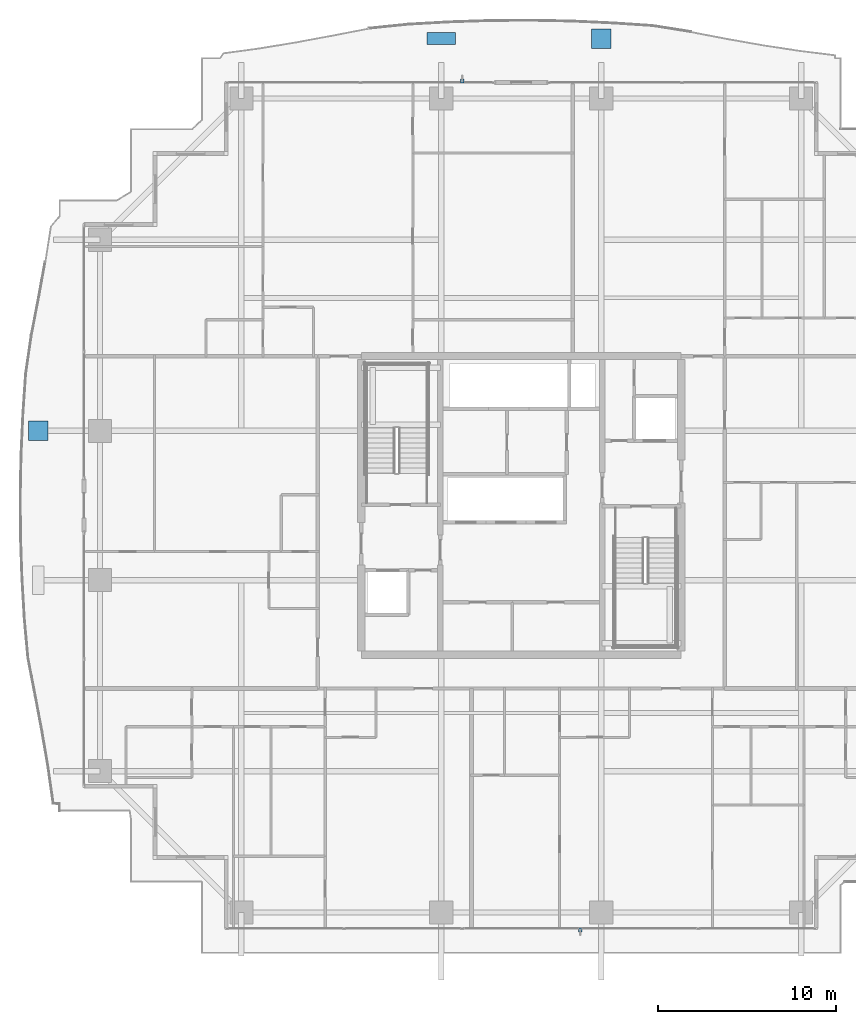
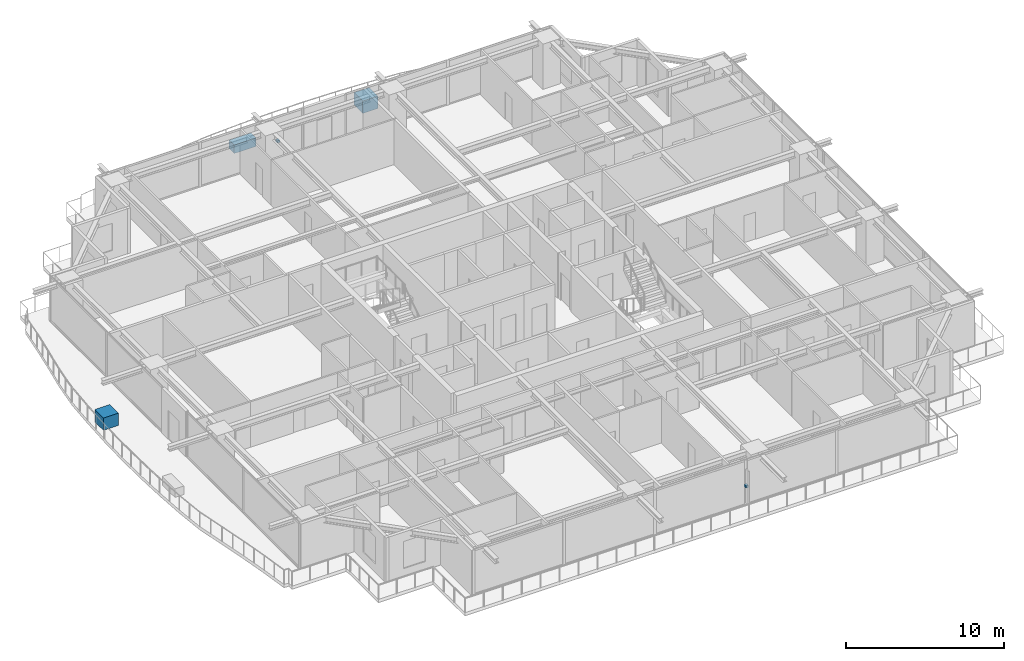
# One storey, part 32 of 39: 5 discrete accessories.
"""IFC4 building model written with IfcOpenShell, lengths in metres."""

from ifc_helpers import new_model, si_unit, direction, frame, origin, origin_2d, place, context, subcontext, project, spatial, rectangle, extrude, source, transform, mapped, material, type_object, element, save


model = new_model("IFC4")

# Units and contexts
model_context = context("Model", 3, precision=1e-05, world=origin(), true_north=direction((0.0, 1.0)))
body_context = subcontext(model_context, "Body", "Model", "MODEL_VIEW")
ifc_project = project(units=[si_unit("LENGTHUNIT", "METRE"), si_unit("AREAUNIT", "SQUARE_METRE"), si_unit("VOLUMEUNIT", "CUBIC_METRE"), si_unit("PLANEANGLEUNIT", "RADIAN"), si_unit("MASSUNIT", "GRAM", prefix="KILO")], contexts=[model_context])

# Site, building, storey
site_placement = place(None, origin())
site = spatial("IfcSite", under=ifc_project, at=site_placement, CompositionType="ELEMENT")
building_placement = place(site_placement, origin())
building = spatial("IfcBuilding", under=site, at=building_placement, Name="Serunith Strait Residences", CompositionType="ELEMENT")
storey_placement = place(building_placement, frame((0.0, 0.0, 168.89990234375)))
storey = spatial("IfcBuildingStorey", under=building, at=storey_placement, Name="L42", CompositionType="ELEMENT", Elevation=168.89990234375)

# Discrete accessories
ifc_material_1 = material(Name="GFRC Root-Anchored Structural Planter")
discrete_accessory_type_1 = type_object("IfcDiscreteAccessoryType", Name="ACC-PLANTER-TREE", PredefinedType="USERDEFINED", material=ifc_material_1)
shared_shape_1 = source(origin(), body_context, "Body", "SweptSolid", [
    extrude(rectangle(XDim=1.10009765625, YDim=1.10009765625, at=origin_2d()), origin(), (0.0, 0.0, 1.0), 0.949951171875),
])
for number, where, z_axis, x_axis, name in (
    (1, (36.89990234375, 51.46923828125, -0.0498046875), (0.0, 0.0, 1.0), (-1.0, 0.0, 0.0), "L42 Vertical-Forest Tree Planter 07"),
    (2, (5.228271484375, 29.39990234375, -0.0498046875), (0.0, 0.0, 1.0), (0.0, -1.0, 0.0), "L42 Vertical-Forest Tree Planter 15"),
):
    element("IfcDiscreteAccessory", number, at=place(storey_placement, frame(where, z_axis=z_axis, x_axis=x_axis)), inside=storey, type_object=discrete_accessory_type_1, Name=name, ObjectType="PLANTER", PredefinedType="USERDEFINED", context=body_context, shape_type="MappedRepresentation", body=[
        mapped(shared_shape_1, transform((0.0, 0.0, 0.0), scale=1.0)),
    ])
ifc_material_2 = material(Name="GFRC Irrigated Shrub Trough Planter")
discrete_accessory_type_2 = type_object("IfcDiscreteAccessoryType", Name="ACC-PLANTER-SHRUB", PredefinedType="USERDEFINED", material=ifc_material_2)
shared_shape_2 = source(origin(), body_context, "Body", "SweptSolid", [
    extrude(rectangle(XDim=1.60009765625, YDim=0.64990234375, at=origin_2d()), origin(), (0.0, 0.0, 1.0), 0.64990234375),
])
discrete_accessory_placement = place(storey_placement, frame((27.89990234375, 51.473388671875, -0.0498046875), z_axis=(0.0, 0.0, 1.0), x_axis=(-1.0, 0.0, 0.0)))
element("IfcDiscreteAccessory", 3, at=discrete_accessory_placement, inside=storey, type_object=discrete_accessory_type_2, Name="L42 Vertical-Forest Shrub Planter 06", ObjectType="PLANTER", PredefinedType="USERDEFINED", context=body_context, shape_type="MappedRepresentation", body=[
    mapped(shared_shape_2, transform((0.0, 0.0, 0.0), scale=1.0)),
])
ifc_material_3 = material(Name="Stainless Steel Facade Cleat Bracket", Category="steel")
discrete_accessory_type_3 = type_object("IfcDiscreteAccessoryType", Name="ACC-FIN-BRACKET", PredefinedType="USERDEFINED", material=ifc_material_3)
shared_shape_3 = source(origin(), body_context, "Body", "SweptSolid", [
    extrude(rectangle(XDim=0.179931640625, YDim=0.219970703125, at=origin_2d()), origin(), (0.0, 0.0, 1.0), 0.179931640625),
])
for number, where, z_axis, x_axis, name in (
    (4, (35.719970703125, 1.320068359375, 1.41015625), (0.0, 0.0, 1.0), (1.0, 0.0, 0.0), "L42 Solar Fin Cleat Bracket S"),
    (5, (29.080078125, 49.080078125, 1.41015625), (0.0, 0.0, 1.0), (1.0, 0.0, 0.0), "L42 Solar Fin Cleat Bracket N"),
):
    element("IfcDiscreteAccessory", number, at=place(storey_placement, frame(where, z_axis=z_axis, x_axis=x_axis)), inside=storey, type_object=discrete_accessory_type_3, Name=name, ObjectType="BRACKET", PredefinedType="USERDEFINED", context=body_context, shape_type="MappedRepresentation", body=[
        mapped(shared_shape_3, transform((0.0, 0.0, 0.0), scale=1.0)),
    ])

save(model, "model.ifc")
